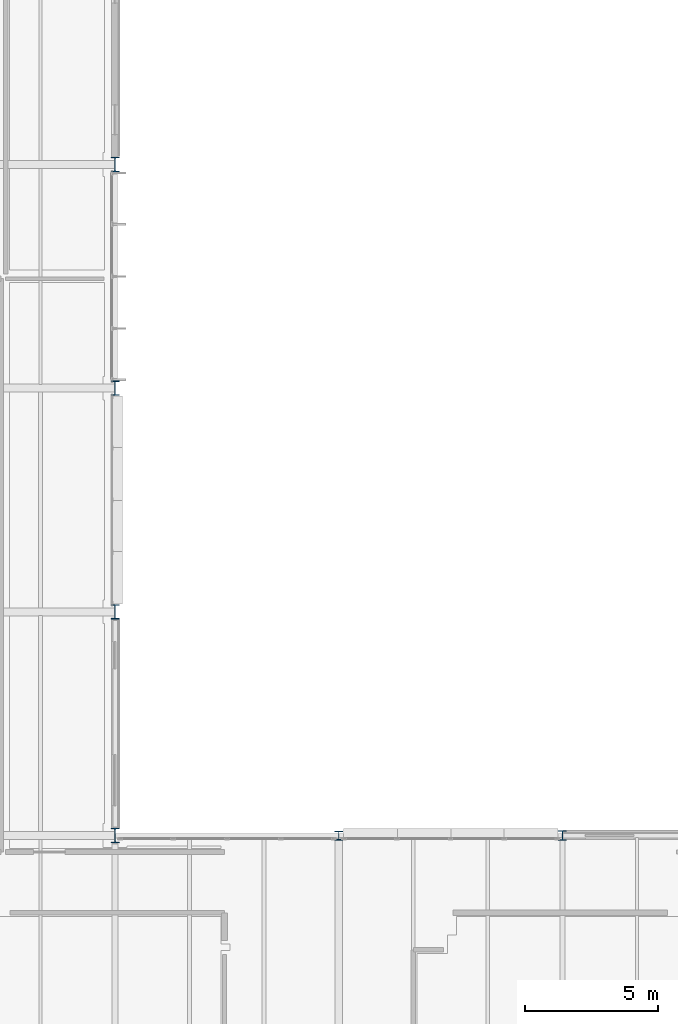
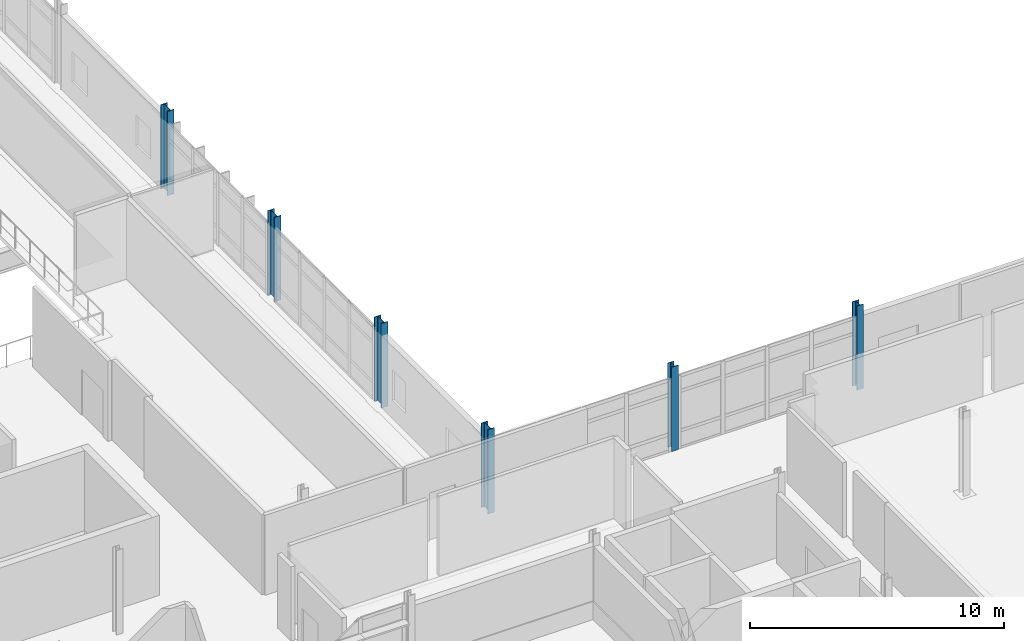
# One storey, part 4 of 151: 6 columns.
"""IFC4 building model written with IfcOpenShell, lengths in metres."""

from ifc_helpers import new_model, si_unit, direction, frame, origin, origin_2d, place, context, subcontext, project, spatial, i_section, extrude, material, material_profile, profile_set, type_object, element, save


model = new_model("IFC4")

# Units and contexts
model_context = context("Model", 3, precision=1e-05, world=origin(), true_north=direction((0.0, 1.0)))
body_context = subcontext(model_context, "Body", "Model", "MODEL_VIEW")
ifc_project = project(units=[si_unit("LENGTHUNIT", "METRE"), si_unit("AREAUNIT", "SQUARE_METRE"), si_unit("VOLUMEUNIT", "CUBIC_METRE"), si_unit("PLANEANGLEUNIT", "RADIAN"), si_unit("MASSUNIT", "GRAM", prefix="KILO")], contexts=[model_context])

# Site, building, storey
site_placement = place(None, origin())
site = spatial("IfcSite", under=ifc_project, at=site_placement, CompositionType="ELEMENT")
building_placement = place(site_placement, origin())
building = spatial("IfcBuilding", under=site, at=building_placement, Name="Mersafa Astral City Hall", CompositionType="ELEMENT")
storey_placement = place(building_placement, frame((0.0, 0.0, 9.89990234375)))
storey = spatial("IfcBuildingStorey", under=building, at=storey_placement, Name="L02", CompositionType="ELEMENT", Elevation=9.89990234375)

# Columns
ifc_material = material(Name="Steel S355", Category="steel")
ifc_material_profile_1 = material_profile(ifc_material, i_section(OverallWidth=0.300048828125, OverallDepth=0.340087890625, WebThickness=0.011962890625, FlangeThickness=0.021484375, FilletRadius=0.027099609375, at=origin_2d()), Name="HEB 340")
ifc_profile_set_1 = profile_set([ifc_material_profile_1], Name="Steel S355")
column_type_1 = type_object("IfcColumnType", Name="STR-COL-HEB340", PredefinedType="COLUMN", material=ifc_profile_set_1)
column_1_placement = place(storey_placement, frame((126.0, 33.60009765625, 0.0), z_axis=(0.0, 0.0, 1.0), x_axis=(1.0, 0.0, 0.0)))
element("IfcColumn", 1, at=column_1_placement, inside=storey, type_object=column_type_1, Name="L02 Structural column G-15-04", PredefinedType="COLUMN", context=body_context, shape_type="SweptSolid", body=[
    extrude(i_section(OverallWidth=0.300048828125, OverallDepth=0.340087890625, WebThickness=0.011962890625, FlangeThickness=0.021484375, FilletRadius=0.027099609375, at=origin_2d()), origin(), (0.0, 0.0, 1.0), 4.050048828125),
])
ifc_material_profile_2 = material_profile(ifc_material, i_section(OverallWidth=0.300048828125, OverallDepth=0.360107421875, WebThickness=0.012451171875, FlangeThickness=0.0224609375, FilletRadius=0.027099609375, at=origin_2d()), Name="HEB 360")
ifc_profile_set_2 = profile_set([ifc_material_profile_2], Name="Steel S355")
column_type_2 = type_object("IfcColumnType", Name="STR-COL-HEB360", PredefinedType="COLUMN", material=ifc_profile_set_2)
column_2_placement = place(storey_placement, frame((134.39990234375, 33.60009765625, 0.0), z_axis=(0.0, 0.0, 1.0), x_axis=(1.0, 0.0, 0.0)))
element("IfcColumn", 2, at=column_2_placement, inside=storey, type_object=column_type_2, Name="L02 Structural column G-16-04", PredefinedType="COLUMN", context=body_context, shape_type="SweptSolid", body=[
    extrude(i_section(OverallWidth=0.300048828125, OverallDepth=0.360107421875, WebThickness=0.012451171875, FlangeThickness=0.0224609375, FilletRadius=0.027099609375, at=origin_2d()), origin(), (0.0, 0.0, 1.0), 4.050048828125),
])
ifc_material_profile_3 = material_profile(ifc_material, i_section(OverallWidth=0.300048828125, OverallDepth=0.550048828125, WebThickness=0.014892578125, FlangeThickness=0.029052734375, FilletRadius=0.027099609375, at=origin_2d()), Name="HEB 550")
ifc_profile_set_3 = profile_set([ifc_material_profile_3], Name="Steel S355")
column_type_3 = type_object("IfcColumnType", Name="STR-COL-HEB550", PredefinedType="COLUMN", material=ifc_profile_set_3)
for number, where, z_axis, x_axis, name in (
    (3, (117.60009765625, 33.60009765625, 0.0), (0.0, 0.0, 1.0), (1.0, 0.0, 0.0), "L02 Structural column G-14-04"),
    (4, (117.60009765625, 42.0, 0.0), (0.0, 0.0, 1.0), (1.0, 0.0, 0.0), "L02 Structural column G-14-05"),
    (5, (117.60009765625, 50.39990234375, 0.0), (0.0, 0.0, 1.0), (1.0, 0.0, 0.0), "L02 Structural column G-14-06"),
    (6, (117.60009765625, 58.800048828125, 0.0), (0.0, 0.0, 1.0), (1.0, 0.0, 0.0), "L02 Structural column G-14-07"),
):
    element("IfcColumn", number, at=place(storey_placement, frame(where, z_axis=z_axis, x_axis=x_axis)), inside=storey, type_object=column_type_3, Name=name, PredefinedType="COLUMN", context=body_context, shape_type="SweptSolid", body=[
        extrude(i_section(OverallWidth=0.300048828125, OverallDepth=0.550048828125, WebThickness=0.014892578125, FlangeThickness=0.029052734375, FilletRadius=0.027099609375, at=origin_2d()), origin(), (0.0, 0.0, 1.0), 4.050048828125),
    ])

save(model, "model.ifc")
